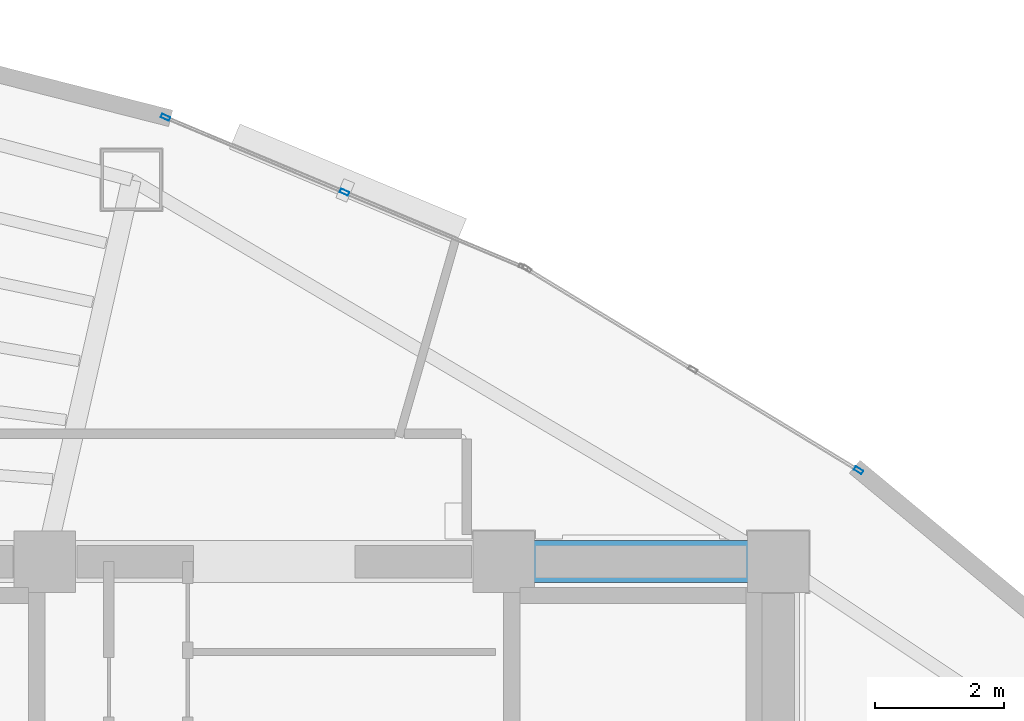
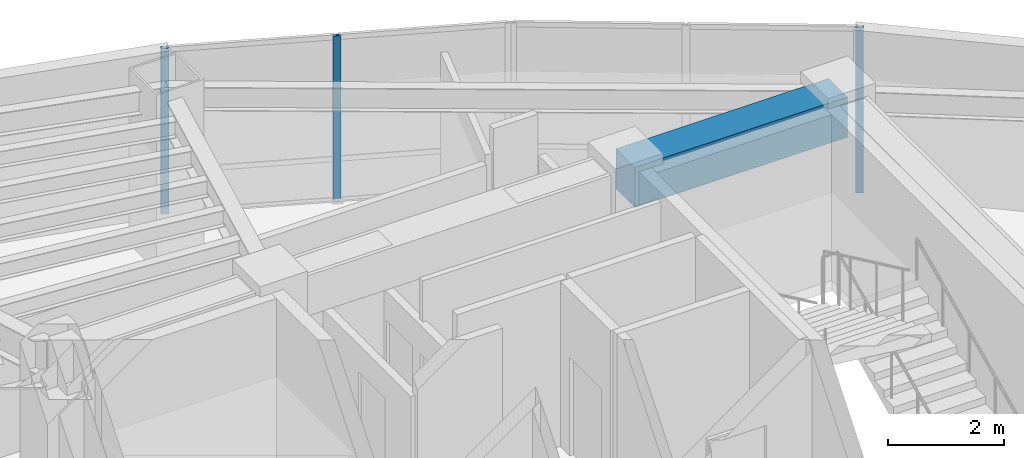
# One storey, part 9 of 16: 3 members, 1 beam, 2 elements without a shape of their own.
"""IFC4 building model written with IfcOpenShell, lengths in metres."""

from ifc_helpers import new_model, si_unit, direction, frame, origin, origin_2d, place, context, subcontext, project, spatial, rectangle, hollow_rectangle, extrude, material, layer, layer_set, material_profile, profile_set, type_object, element, aggregate, save


model = new_model("IFC4")

# Units and contexts
model_context = context("Model", 3, precision=1e-05, world=origin(), true_north=direction((0.0, 1.0)))
body_context = subcontext(model_context, "Body", "Model", "MODEL_VIEW")
ifc_project = project(units=[si_unit("LENGTHUNIT", "METRE"), si_unit("AREAUNIT", "SQUARE_METRE"), si_unit("VOLUMEUNIT", "CUBIC_METRE"), si_unit("PLANEANGLEUNIT", "RADIAN"), si_unit("MASSUNIT", "GRAM", prefix="KILO")], contexts=[model_context])

# Site, building, storey
site_placement = place(None, origin())
site = spatial("IfcSite", under=ifc_project, at=site_placement, CompositionType="ELEMENT")
building_placement = place(site_placement, origin())
building = spatial("IfcBuilding", under=site, at=building_placement, Name="Menara Vayukalpa", CompositionType="ELEMENT")
storey_placement = place(building_placement, frame((0.0, 0.0, 219.5400390625)))
storey = spatial("IfcBuildingStorey", under=building, at=storey_placement, Name="L55", CompositionType="ELEMENT", Elevation=219.5400390625)

# Beam
ifc_material_1 = material(Name="Concrete C60/75", Category="concrete")
ifc_material_profile_1 = material_profile(ifc_material_1, rectangle(XDim=0.64990234375, YDim=0.85009765625, at=origin_2d()), Name="RC 650x850")
ifc_profile_set_1 = profile_set([ifc_material_profile_1], Name="Concrete C60/75")
beam_type = type_object("IfcBeamType", Name="BM-CB1", PredefinedType="BEAM", material=ifc_profile_set_1)
beam_placement = place(storey_placement, frame((29.14990234375, 26.800048828125, 3.074951171875), z_axis=(1.0, 0.0, 0.0), x_axis=(0.0, 1.0, 0.0)))
element("IfcBeam", 1, at=beam_placement, inside=storey, type_object=beam_type, Name="L55 Core Tie Beam CBR6", PredefinedType="BEAM", context=body_context, shape_type="SweptSolid", body=[
    extrude(rectangle(XDim=0.64990234375, YDim=0.85009765625, at=origin_2d()), origin(), (0.0, 0.0, 1.0), 4.25),
])

# Curtain wall, member
ifc_material_2 = material(Name="Anodised Terracotta Aluminium Alloy 6063-T6", Category="masonry")
ifc_layer = layer(ifc_material_2, 0.139892578125)
ifc_layer_set = layer_set([ifc_layer], Name="Anodised Terracotta Aluminium Alloy 6063-T6")
curtain_wall_type = type_object("IfcCurtainWallType", Name="CW-CW5", PredefinedType="USERDEFINED", material=ifc_layer_set)
curtain_wall_1_placement = place(storey_placement, origin())
curtain_wall_1 = element("IfcCurtainWall", 2, at=curtain_wall_1_placement, inside=storey, type_object=curtain_wall_type, Name="L55 High Rise Tapered Curtain Wall CW5 04", ObjectType="UNITISED", PredefinedType="USERDEFINED")
ifc_material_3 = material(Name="Anodised Terracotta Aluminium Alloy 6063-T6", Category="masonry")
ifc_material_profile_2 = material_profile(ifc_material_3, hollow_rectangle(XDim=0.06005859375, YDim=0.139892578125, WallThickness=0.00341796875, at=origin_2d()), Name="ALU 60x140x3.5")
ifc_profile_set_2 = profile_set([ifc_material_profile_2], Name="Anodised Terracotta Aluminium Alloy 6063-T6")
member_type = type_object("IfcMemberType", Name="CWM-CW5", PredefinedType="MULLION", material=ifc_profile_set_2)
member_1_placement = place(storey_placement, frame((34.6416015625, 28.21484375, 0.0), z_axis=(0.0, 0.0, 1.0), x_axis=(-0.519179911779, -0.854664974832, 0.0)))
member_1 = element("IfcMember", 3, at=member_1_placement, type_object=member_type, Name="CW5 mullion 1", PredefinedType="MULLION", context=body_context, shape_type="SweptSolid", body=[
    extrude(hollow_rectangle(XDim=0.06005859375, YDim=0.139892578125, WallThickness=0.00341796875, at=origin_2d()), origin(), (0.0, 0.0, 1.0), 3.5),
])
aggregate(curtain_wall_1, [member_1])

# Curtain wall, members
curtain_wall_2_placement = place(storey_placement, origin())
curtain_wall_2 = element("IfcCurtainWall", 4, at=curtain_wall_2_placement, inside=storey, type_object=curtain_wall_type, Name="L55 High Rise Tapered Curtain Wall CW5 05", ObjectType="UNITISED", PredefinedType="USERDEFINED")
member_2_placement = place(storey_placement, frame((26.686279296875, 32.518310546875, 0.0), z_axis=(0.0, 0.0, 1.0), x_axis=(-0.385902834406, -0.922539431351, 0.0)))
member_2 = element("IfcMember", 5, at=member_2_placement, type_object=member_type, Name="CW5 mullion 2", PredefinedType="MULLION", context=body_context, shape_type="SweptSolid", body=[
    extrude(hollow_rectangle(XDim=0.06005859375, YDim=0.139892578125, WallThickness=0.00341796875, at=origin_2d()), origin(), (0.0, 0.0, 1.0), 3.5),
])
member_3_placement = place(storey_placement, frame((23.916259765625, 33.677001953125, 0.0), z_axis=(0.0, 0.0, 1.0), x_axis=(-0.385902834406, -0.922539431351, 0.0)))
member_3 = element("IfcMember", 6, at=member_3_placement, type_object=member_type, Name="CW5 mullion 3", PredefinedType="MULLION", context=body_context, shape_type="SweptSolid", body=[
    extrude(hollow_rectangle(XDim=0.06005859375, YDim=0.139892578125, WallThickness=0.00341796875, at=origin_2d()), origin(), (0.0, 0.0, 1.0), 3.5),
])
aggregate(curtain_wall_2, [member_2, member_3])

save(model, "model.ifc")
